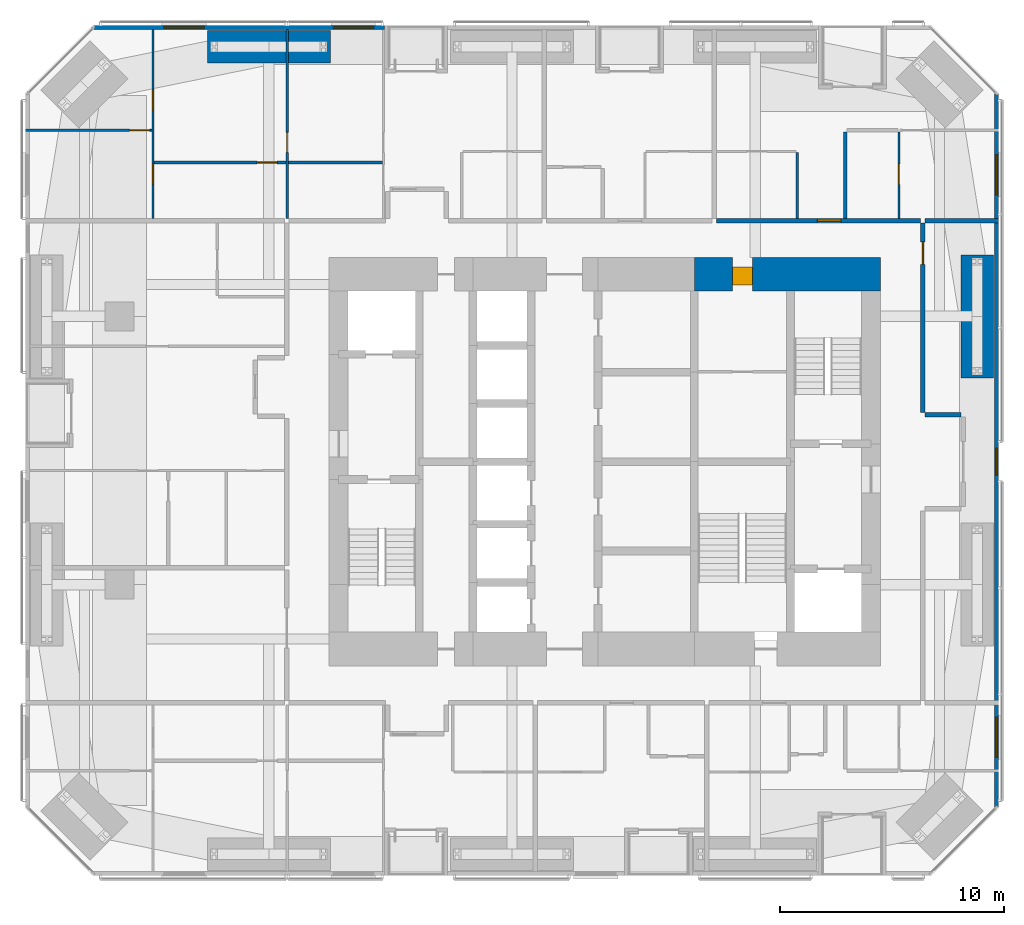
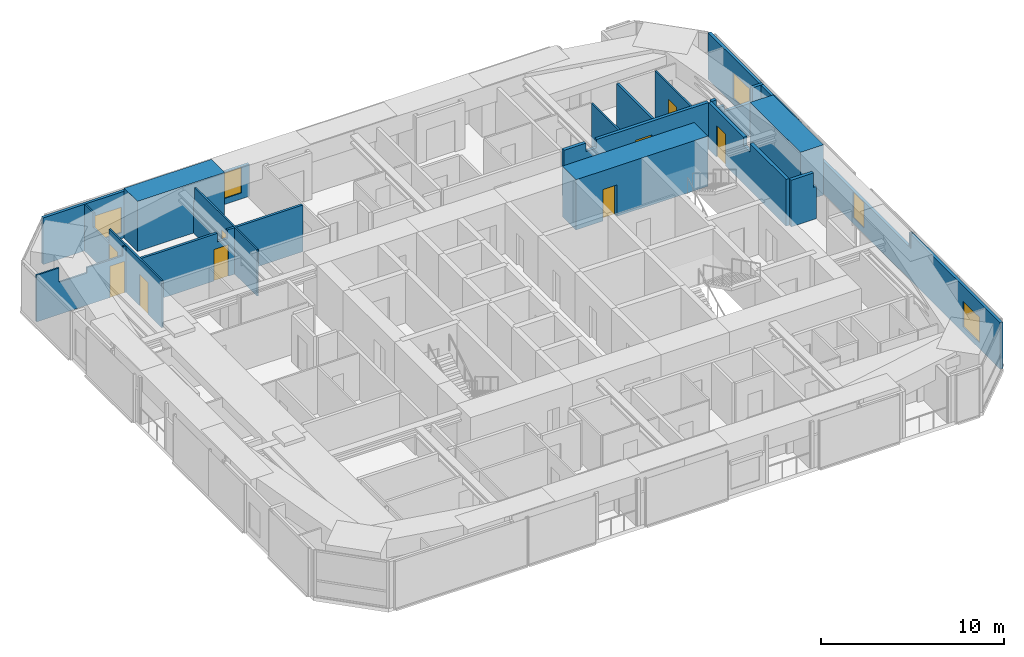
# One storey, part 22 of 25: 17 walls, 9 doors, 5 windows, 14 openings.
"""IFC4 building model written with IfcOpenShell, lengths in metres."""

import ifcopenshell
import ifcopenshell.guid

model = None  # the IFC model being written
_history = None  # IfcOwnerHistory: only IFC2X3 demands one
_inside = {}  # id of a spatial element -> (the spatial element, [elements in it])
_under = {}  # id of a project, library or spatial element -> (it, [spatial elements below it])
_declared = {}  # id of a project -> (the project, [libraries it declares])
_typed = {}  # id of a type object -> (the type object, [elements of that type])
_made_of = {}  # id of a material, layer set ... -> (it, [elements and type objects made of it])


def new_model(schema):
    """Start an empty IFC model of exactly this schema.

    Asked for "IFC4X3", IfcOpenShell would pick the latest addendum, in which some entities
    have other attributes; the version numbers below select the first issue.
    IFC2X3 requires an IfcOwnerHistory on every rooted entity: one is made here for all.
    """
    global model, _history
    if schema == "IFC4X3":
        model = ifcopenshell.file(schema_version=(4, 3, 0, 0))
    else:
        model = ifcopenshell.file(schema=schema)
    _inside.clear()
    _under.clear()
    _declared.clear()
    _typed.clear()
    _made_of.clear()
    _history = None
    if model.schema == "IFC2X3":
        org = make("IfcOrganization", Name="unknown")
        user = make(
            "IfcPersonAndOrganization",
            ThePerson=make("IfcPerson", FamilyName="unknown"),
            TheOrganization=org,
        )
        app = make(
            "IfcApplication",
            ApplicationDeveloper=org,
            Version="unknown",
            ApplicationFullName="unknown",
            ApplicationIdentifier="unknown",
        )
        _history = make(
            "IfcOwnerHistory",
            OwningUser=user,
            OwningApplication=app,
            ChangeAction="ADDED",
            CreationDate=0,
        )
    return model


def make(cls, **values):
    """One entity of the class cls with the attributes given. An attribute that is None is left unset."""
    return model.create_entity(
        cls, **{name: value for name, value in values.items() if value is not None}
    )


def rooted(cls, **values):
    """An entity with a GlobalId (a new one), such as an element, a storey or a relation."""
    return make(cls, GlobalId=ifcopenshell.guid.new(), OwnerHistory=_history, **values)


def si_unit(unit_type, name, prefix=None):
    """IfcSIUnit, for example si_unit("LENGTHUNIT", "METRE", prefix="MILLI")."""
    return make("IfcSIUnit", UnitType=unit_type, Prefix=prefix, Name=name)


def assignment(units):
    """IfcUnitAssignment: the units of a project."""
    return None if units is None else make("IfcUnitAssignment", Units=units)


def point(xyz):
    """IfcCartesianPoint."""
    return None if xyz is None else make("IfcCartesianPoint", Coordinates=xyz)


def direction(xyz):
    """IfcDirection."""
    return None if xyz is None else make("IfcDirection", DirectionRatios=xyz)


def frame(location, z_axis=None, x_axis=None):
    """IfcAxis2Placement3D, a coordinate frame: its origin and axes. An axis left out is left unset."""
    return make(
        "IfcAxis2Placement3D",
        Location=point(location),
        Axis=direction(z_axis),
        RefDirection=direction(x_axis),
    )


def frame_2d(location, x_axis=None):
    """IfcAxis2Placement2D, a coordinate frame in the plane: its origin and x axis."""
    return make(
        "IfcAxis2Placement2D", Location=point(location), RefDirection=direction(x_axis)
    )


def origin():
    """The frame at (0, 0, 0) with its axes left unset."""
    return frame((0.0, 0.0, 0.0))


def place(relative_to, where):
    """IfcLocalPlacement: puts the frame where relative to a parent placement (None: the world)."""
    return make(
        "IfcLocalPlacement", PlacementRelTo=relative_to, RelativePlacement=where
    )


def context(
    kind, dimensions, precision=None, world=None, true_north=None, identifier=None
):
    """IfcGeometricRepresentationContext, for example the 3D "Model" context."""
    return make(
        "IfcGeometricRepresentationContext",
        ContextIdentifier=identifier,
        ContextType=kind,
        CoordinateSpaceDimension=dimensions,
        Precision=precision,
        WorldCoordinateSystem=world,
        TrueNorth=true_north,
    )


def subcontext(parent, identifier, kind, view, scale=None):
    """IfcGeometricRepresentationSubContext, for example "Body" below "Model"."""
    return make(
        "IfcGeometricRepresentationSubContext",
        ContextIdentifier=identifier,
        ContextType=kind,
        ParentContext=parent,
        TargetScale=scale,
        TargetView=view,
    )


def project(units=None, contexts=None):
    """IfcProject with its units and contexts."""
    return rooted(
        "IfcProject",
        Name="project",
        RepresentationContexts=contexts,
        UnitsInContext=assignment(units),
    )


def spatial(cls, under=None, at=None, **own):
    """A site, building, storey or space (cls), placed at a placement, below another one or the project."""
    s = rooted(cls, ObjectPlacement=at, **own)
    if under is not None:
        _under.setdefault(under.id(), (under, []))[1].append(s)
    return s


def polyline(points):
    """IfcPolyline through the points."""
    return make("IfcPolyline", Points=[point(p) for p in points])


def profile(cls, at=None, kind="AREA", **sizes):
    """A parametric profile (cls). Its sizes go by their IFC names, for example OverallWidth=200.0."""
    return make(cls, ProfileType=kind, Position=at, **sizes)


def rectangle(**sizes):
    """IfcRectangleProfileDef."""
    return profile("IfcRectangleProfileDef", **sizes)


def outline(outer, holes=None, kind="AREA"):
    """IfcArbitraryClosedProfileDef: a profile drawn as a closed curve; with holes, ...WithVoids."""
    if holes is None:
        return make("IfcArbitraryClosedProfileDef", ProfileType=kind, OuterCurve=outer)
    return make(
        "IfcArbitraryProfileDefWithVoids",
        ProfileType=kind,
        OuterCurve=outer,
        InnerCurves=holes,
    )


def extrude(swept, where, along, depth):
    """IfcExtrudedAreaSolid: the profile swept, set in the frame where, extruded along a direction by depth."""
    return make(
        "IfcExtrudedAreaSolid",
        SweptArea=swept,
        Position=where,
        ExtrudedDirection=direction(along),
        Depth=depth,
    )


def shape(context_of_items, identifier, shape_type, items):
    """IfcShapeRepresentation: the items that make up one representation, for example the "Body"."""
    return make(
        "IfcShapeRepresentation",
        ContextOfItems=context_of_items,
        RepresentationIdentifier=identifier,
        RepresentationType=shape_type,
        Items=items,
    )


def material(Name=None, Category=None):
    """IfcMaterial."""
    return make("IfcMaterial", Name=Name, Category=Category)


def layer(
    of_material, thickness, ventilated=None, Name=None, Category=None, Priority=None
):
    """IfcMaterialLayer: one layer of a wall or slab, of a material (None: an air gap)."""
    return make(
        "IfcMaterialLayer",
        Material=of_material,
        LayerThickness=thickness,
        IsVentilated=ventilated,
        Name=Name,
        Category=Category,
        Priority=Priority,
    )


def layer_set(layers, Name=None):
    """IfcMaterialLayerSet."""
    return make("IfcMaterialLayerSet", MaterialLayers=layers, LayerSetName=Name)


def constituent(of_material, Name=None, Category=None, fraction=None):
    """IfcMaterialConstituent: one of the materials an element consists of."""
    return make(
        "IfcMaterialConstituent",
        Name=Name,
        Material=of_material,
        Fraction=fraction,
        Category=Category,
    )


def constituent_set(constituents=None, Name=None):
    """IfcMaterialConstituentSet."""
    return make(
        "IfcMaterialConstituentSet", Name=Name, MaterialConstituents=constituents
    )


def made_of(thing, what):
    """Note that an element or type object is made of a material, layer set ...; save() writes the relation."""
    if what is not None:
        _made_of.setdefault(what.id(), (what, []))[1].append(thing)
    return thing


def type_object(cls, material=None, **own):
    """A type object (cls), such as IfcWallType, which elements share."""
    return made_of(rooted(cls, **own), material)


def element(
    cls,
    number,
    at=None,
    inside=None,
    cuts=None,
    type_object=None,
    material=None,
    context=None,
    identifier="Body",
    shape_type=None,
    held_by="IfcProductDefinitionShape",
    body=None,
    shapes=None,
    **own,
):
    """One element of the class cls, such as IfcWall. Its Tag is "e" and its number.

    at: its placement. inside: the storey or other place that contains it. cuts: it is an
    opening in that element (IfcRelVoidsElement). A single representation is given by context,
    identifier, shape_type and body (its items); several are given by shapes. held_by: the class
    of the entity that holds the representations. save() writes the other relations.
    """
    e = rooted(cls, Tag="e%d" % number, ObjectPlacement=at, **own)
    if body is not None:
        shapes = [shape(context, identifier, shape_type, body)]
    if shapes is not None:
        e.Representation = make(held_by, Representations=shapes)
    if inside is not None:
        _inside.setdefault(inside.id(), (inside, []))[1].append(e)
    if cuts is not None:
        rooted(
            "IfcRelVoidsElement", RelatingBuildingElement=cuts, RelatedOpeningElement=e
        )
    if type_object is not None:
        _typed.setdefault(type_object.id(), (type_object, []))[1].append(e)
    return made_of(e, material)


def fill(opening, filler):
    """IfcRelFillsElement: the door or window that sits in an opening."""
    return rooted(
        "IfcRelFillsElement",
        RelatingOpeningElement=opening,
        RelatedBuildingElement=filler,
    )


def aggregate(whole, parts):
    """IfcRelAggregates: a whole, such as a stair, and the parts it consists of."""
    return rooted("IfcRelAggregates", RelatingObject=whole, RelatedObjects=parts)


def save(model, path):
    """Write the relations noted so far, then the file.

    IfcRelAggregates (storeys below a building ...), IfcRelContainedInSpatialStructure (elements
    in a storey), IfcRelDefinesByType, IfcRelAssociatesMaterial and IfcRelDeclares: one each for
    every whole, place, type object, material and project.
    """
    for whole, parts in _under.values():
        aggregate(whole, parts)
    for where, things in _inside.values():
        rooted(
            "IfcRelContainedInSpatialStructure",
            RelatedElements=things,
            RelatingStructure=where,
        )
    for kind, things in _typed.values():
        rooted("IfcRelDefinesByType", RelatedObjects=things, RelatingType=kind)
    for what, things in _made_of.values():
        rooted("IfcRelAssociatesMaterial", RelatedObjects=things, RelatingMaterial=what)
    for by, libraries in _declared.values():
        rooted("IfcRelDeclares", RelatingContext=by, RelatedDefinitions=libraries)
    model.write(path)


model = new_model("IFC4")

# Units and contexts
model_context = context("Model", 3, precision=1e-05, world=origin(), true_north=direction((0.0, 1.0)))
body_context = subcontext(model_context, "Body", "Model", "MODEL_VIEW")
ifc_project = project(units=[si_unit("LENGTHUNIT", "METRE"), si_unit("AREAUNIT", "SQUARE_METRE"), si_unit("VOLUMEUNIT", "CUBIC_METRE"), si_unit("PLANEANGLEUNIT", "RADIAN"), si_unit("MASSUNIT", "GRAM", prefix="KILO")], contexts=[model_context])

# Site, building, storey
site_placement = place(None, origin())
site = spatial("IfcSite", under=ifc_project, at=site_placement, CompositionType="ELEMENT")
building_placement = place(site_placement, origin())
building = spatial("IfcBuilding", under=site, at=building_placement, Name="Jalousie Tower", CompositionType="ELEMENT")
storey_placement = place(building_placement, frame((0.0, 0.0, 98.14990234375)))
storey = spatial("IfcBuildingStorey", under=building, at=storey_placement, Name="L26", CompositionType="ELEMENT", Elevation=98.14990234375)

# Wall, opening, door
ifc_material_1 = material(Name="Concrete block ASTM C90", Category="concrete")
ifc_constituent_1 = constituent(ifc_material_1, Name="Body")
ifc_material_2 = material(Name="Render")
ifc_constituent_2 = constituent(ifc_material_2, Name="Finish")
ifc_constituent_set_1 = constituent_set(constituents=[ifc_constituent_1, ifc_constituent_2])
wall_type_1 = type_object("IfcWallType", Name="BATHROOM WALL 150", PredefinedType="PLUMBINGWALL", material=ifc_constituent_set_1)
wall_1_placement = place(storey_placement, frame((11.75, 31.875, 0.0), z_axis=(0.0, 0.0, 1.0), x_axis=(1.0, 0.0, 0.0)))
wall_1 = element("IfcWall", 1, at=wall_1_placement, inside=storey, type_object=wall_type_1, Name="Bathroom Wall 150 L26", PredefinedType="PLUMBINGWALL", context=body_context, shape_type="SweptSolid", body=[
    extrude(outline(polyline([(0.0, 0.0), (5.89990234375, 0.0), (5.89990234375, 3.110107421875), (5.4375, 3.110107421875), (5.4375, 2.541015625), (4.8125, 2.541015625), (4.8125, 3.110107421875), (0.0, 3.110107421875), (0.0, 0.0)])), frame((0.0, 0.074951171875, 0.0), z_axis=(0.0, -1.0, 0.0), x_axis=(1.0, 0.0, 0.0)), (0.0, 0.0, 1.0), 0.14990234375),
])
opening_1_placement = place(wall_1_placement, frame((4.60009765625, 0.0, 0.0)))
opening_1 = element("IfcOpeningElement", 2, at=opening_1_placement, cuts=wall_1, Name="Opening D3", PredefinedType="OPENING", context=body_context, shape_type="SweptSolid", body=[
    extrude(rectangle(XDim=0.89990234375, YDim=2.10009765625, at=frame_2d((0.449951171875, 1.050048828125))), frame((0.0, 0.0849609375, 0.0), z_axis=(0.0, -1.0, 0.0), x_axis=(1.0, 0.0, 0.0)), (0.0, 0.0, 1.0), 0.169921875),
])
ifc_material_3 = material(Name="Timber door", Category="wood")
door_type_1 = type_object("IfcDoorType", Name="BATHROOM DOOR 900", OperationType="SINGLE_SWING_LEFT", PredefinedType="DOOR", material=ifc_material_3)
door_1_placement = place(opening_1_placement, frame((0.89990234375, 0.0, 0.0), z_axis=(0.0, 0.0, 1.0), x_axis=(-1.0, 0.0, 0.0)))
door_1 = element("IfcDoor", 3, at=door_1_placement, inside=storey, type_object=door_type_1, Name="Apartment 2604 bedroom 2 bathroom door", OperationType="SINGLE_SWING_LEFT", OverallHeight=2.10009765625, OverallWidth=0.89990234375, PredefinedType="DOOR", context=body_context, shape_type="SweptSolid", body=[
    extrude(rectangle(XDim=0.89990234375, YDim=2.10009765625, at=frame_2d((0.449951171875, 1.050048828125))), frame((0.0, 0.02490234375, 0.0), z_axis=(0.0, -1.0, 0.0), x_axis=(1.0, 0.0, 0.0)), (0.0, 0.0, 1.0), 0.050048828125),
])
fill(opening_1, door_1)

# Walls
wall_2_placement = place(storey_placement, frame((17.75, 31.875, 0.0), z_axis=(0.0, 0.0, 1.0), x_axis=(1.0, 0.0, 0.0)))
element("IfcWall", 4, at=wall_2_placement, inside=storey, type_object=wall_type_1, Name="Bathroom Wall 150 L26", PredefinedType="PLUMBINGWALL", context=body_context, shape_type="SweptSolid", body=[
    extrude(rectangle(XDim=4.199951171875, YDim=0.14990234375, at=frame_2d((2.10009765625, 0.0))), origin(), (0.0, 0.0, 1.0), 3.110107421875),
])
wall_3_placement = place(storey_placement, frame((42.64990234375, 33.2490234375, 0.0), z_axis=(0.0, 0.0, 1.0), x_axis=(0.0, -1.0, 0.0)))
element("IfcWall", 5, at=wall_3_placement, inside=storey, type_object=wall_type_1, Name="Bathroom Wall 150 L26", PredefinedType="PLUMBINGWALL", context=body_context, shape_type="SweptSolid", body=[
    extrude(rectangle(XDim=3.8740234375, YDim=0.14990234375, at=frame_2d((1.93701171875, 0.0))), origin(), (0.0, 0.0, 1.0), 3.110107421875),
])

# Wall, opening, door
ifc_material_4 = material(Name="Concrete f'c 120 MPa", Category="concrete")
ifc_layer_1 = layer(ifc_material_4, 1.5)
ifc_layer_set_1 = layer_set([ifc_layer_1], Name="Concrete f'c 120 MPa")
wall_type_2 = type_object("IfcWallType", Name="CORE WALL 1500", PredefinedType="SHEAR", material=ifc_layer_set_1)
wall_4_placement = place(storey_placement, frame((44.22509765625, 26.875, 0.0), z_axis=(0.0, 0.0, 1.0), x_axis=(-1.0, 0.0, 0.0)))
wall_4 = element("IfcWall", 6, at=wall_4_placement, inside=storey, type_object=wall_type_2, Name="Core wall NA L26", PredefinedType="SHEAR", context=body_context, shape_type="SweptSolid", body=[
    extrude(rectangle(XDim=8.3251953125, YDim=1.5, at=frame_2d((4.16259765625, 0.0))), origin(), (0.0, 0.0, 1.0), 3.35009765625),
])
opening_2_placement = place(wall_4_placement, frame((5.72509765625, 0.0, 0.0)))
opening_2 = element("IfcOpeningElement", 7, at=opening_2_placement, cuts=wall_4, Name="Opening D26", PredefinedType="OPENING", context=body_context, shape_type="SweptSolid", body=[
    extrude(rectangle(XDim=0.89990234375, YDim=2.10009765625, at=frame_2d((0.449951171875, 1.050048828125))), frame((0.0, 0.760009765625, 0.0), z_axis=(0.0, -1.0, 0.0), x_axis=(1.0, 0.0, 0.0)), (0.0, 0.0, 1.0), 1.52001953125),
])
ifc_material_5 = material(Name="Steel fire door", Category="steel")
door_type_2 = type_object("IfcDoorType", Name="HOUSEKEEPING STORE DOOR 900", OperationType="SINGLE_SWING_LEFT", PredefinedType="DOOR", material=ifc_material_5)
door_2_placement = place(opening_2_placement, origin())
door_2 = element("IfcDoor", 8, at=door_2_placement, inside=storey, type_object=door_type_2, Name="Housekeeping store door", OperationType="SINGLE_SWING_LEFT", OverallHeight=2.10009765625, OverallWidth=0.89990234375, PredefinedType="DOOR", context=body_context, shape_type="SweptSolid", body=[
    extrude(rectangle(XDim=0.89990234375, YDim=2.10009765625, at=frame_2d((0.449951171875, 1.050048828125))), frame((0.0, 0.47021484375, 0.0), z_axis=(0.0, -1.0, 0.0), x_axis=(1.0, 0.0, 0.0)), (0.0, 0.0, 1.0), 0.800048828125),
])
fill(opening_2, door_2)

ifc_material_6 = material(Name="Concrete block ASTM C90", Category="concrete")
ifc_constituent_3 = constituent(ifc_material_6, Name="Body")
ifc_material_7 = material(Name="Render")
ifc_constituent_4 = constituent(ifc_material_7, Name="Finish")
ifc_constituent_set_2 = constituent_set(constituents=[ifc_constituent_3, ifc_constituent_4])
wall_type_3 = type_object("IfcWallType", Name="CORRIDOR WALL 200", PredefinedType="PARTITIONING", material=ifc_constituent_set_2)
wall_5_placement = place(storey_placement, frame((36.89990234375, 29.27490234375, 0.0), z_axis=(0.0, 0.0, 1.0), x_axis=(1.0, 0.0, 0.0)))
wall_5 = element("IfcWall", 9, at=wall_5_placement, inside=storey, type_object=wall_type_3, Name="Corridor Wall 200 L26", PredefinedType="PARTITIONING", context=body_context, shape_type="SweptSolid", body=[
    extrude(outline(polyline([(0.0, 0.0), (9.125, 0.0), (9.125, 3.110107421875), (2.0625, 3.110107421875), (2.0625, 2.541015625), (1.3876953125, 2.541015625), (1.3876953125, 3.110107421875), (0.0, 3.110107421875), (0.0, 0.0)])), frame((0.0, 0.10009765625, 0.0), z_axis=(0.0, -1.0, 0.0), x_axis=(1.0, 0.0, 0.0)), (0.0, 0.0, 1.0), 0.199951171875),
])
opening_3_placement = place(wall_5_placement, frame((4.5, 0.0, 0.0)))
opening_3 = element("IfcOpeningElement", 10, at=opening_3_placement, cuts=wall_5, Name="Opening D1", PredefinedType="OPENING", context=body_context, shape_type="SweptSolid", body=[
    extrude(rectangle(XDim=1.050048828125, YDim=2.199951171875, at=frame_2d((0.52490234375, 1.10009765625))), frame((0.0, 0.10986328125, 0.0), z_axis=(0.0, -1.0, 0.0), x_axis=(1.0, 0.0, 0.0)), (0.0, 0.0, 1.0), 0.219970703125),
])
ifc_material_8 = material(Name="Timber fire door", Category="wood")
door_type_3 = type_object("IfcDoorType", Name="APARTMENT ENTRANCE DOOR 1050", OperationType="SINGLE_SWING_LEFT", PredefinedType="DOOR", material=ifc_material_8)
door_3_placement = place(opening_3_placement, origin())
door_3 = element("IfcDoor", 11, at=door_3_placement, inside=storey, type_object=door_type_3, Name="Apartment 2606 entrance", OperationType="SINGLE_SWING_RIGHT", OverallHeight=2.199951171875, OverallWidth=1.050048828125, PredefinedType="DOOR", context=body_context, shape_type="SweptSolid", body=[
    extrude(rectangle(XDim=1.050048828125, YDim=2.199951171875, at=frame_2d((0.52490234375, 1.10009765625))), frame((0.0, 0.02490234375, 0.0), z_axis=(0.0, -1.0, 0.0), x_axis=(1.0, 0.0, 0.0)), (0.0, 0.0, 1.0), 0.050048828125),
])
fill(opening_3, door_3)

wall_6_placement = place(storey_placement, frame((46.125, 20.699951171875, 0.0), z_axis=(0.0, 0.0, 1.0), x_axis=(0.0, 1.0, 0.0)))
wall_6 = element("IfcWall", 12, at=wall_6_placement, inside=storey, type_object=wall_type_3, Name="Corridor Wall 200 L26", PredefinedType="PARTITIONING", context=body_context, shape_type="SweptSolid", body=[
    extrude(outline(polyline([(0.0, 0.0), (8.47509765625, 0.0), (8.47509765625, 3.110107421875), (4.63720703125, 3.110107421875), (4.63720703125, 2.541015625), (3.962646484375, 2.541015625), (3.962646484375, 3.110107421875), (0.0, 3.110107421875), (0.0, 0.0)])), frame((0.0, 0.10009765625, 0.0), z_axis=(0.0, -1.0, 0.0), x_axis=(1.0, 0.0, 0.0)), (0.0, 0.0, 1.0), 0.199951171875),
])
opening_4_placement = place(wall_6_placement, frame((6.625, 0.0, 0.0)))
opening_4 = element("IfcOpeningElement", 13, at=opening_4_placement, cuts=wall_6, Name="Opening D21", PredefinedType="OPENING", context=body_context, shape_type="SweptSolid", body=[
    extrude(rectangle(XDim=1.0, YDim=2.10009765625, at=frame_2d((0.5, 1.050048828125))), frame((0.0, 0.10986328125, 0.0), z_axis=(0.0, -1.0, 0.0), x_axis=(1.0, 0.0, 0.0)), (0.0, 0.0, 1.0), 0.219970703125),
])
ifc_material_9 = material(Name="Timber fire door", Category="wood")
door_type_4 = type_object("IfcDoorType", Name="CORRIDOR DOOR 1000", OperationType="SINGLE_SWING_LEFT", PredefinedType="DOOR", material=ifc_material_9)
door_4_placement = place(opening_4_placement, frame((1.0, 0.0, 0.0), z_axis=(0.0, 0.0, 1.0), x_axis=(-1.0, 0.0, 0.0)))
door_4 = element("IfcDoor", 14, at=door_4_placement, inside=storey, type_object=door_type_4, Name="Lounge second door", OperationType="SINGLE_SWING_LEFT", OverallHeight=2.10009765625, OverallWidth=1.0, PredefinedType="DOOR", context=body_context, shape_type="SweptSolid", body=[
    extrude(rectangle(XDim=1.0, YDim=2.10009765625, at=frame_2d((0.5, 1.050048828125))), frame((0.0, 0.02490234375, 0.0), z_axis=(0.0, -1.0, 0.0), x_axis=(1.0, 0.0, 0.0)), (0.0, 0.0, 1.0), 0.050048828125),
])
fill(opening_4, door_4)

# Wall
wall_7_placement = place(storey_placement, frame((46.22509765625, 20.60009765625, 0.0), z_axis=(0.0, 0.0, 1.0), x_axis=(1.0, 0.0, 0.0)))
element("IfcWall", 15, at=wall_7_placement, inside=storey, type_object=wall_type_3, Name="Corridor Wall 200 L26", PredefinedType="PARTITIONING", context=body_context, shape_type="SweptSolid", body=[
    extrude(outline(polyline([(0.0, 0.0), (1.599853515625, 0.0), (1.60009765625, 3.110107421875), (1.60009765625, 2.150146484375), (1.4150390625, 2.150146484375), (1.4150390625, 3.110107421875), (0.0, 3.110107421875), (0.0, 0.0)])), frame((0.0, 0.10009765625, 0.0), z_axis=(0.0, -1.0, 0.0), x_axis=(1.0, 0.0, 0.0)), (0.0, 0.0, 1.0), 0.199951171875),
])

# Wall, openings, windows
ifc_material_10 = material(Name="Concrete f'c 40 MPa", Category="concrete")
ifc_constituent_5 = constituent(ifc_material_10, Name="Body")
ifc_material_11 = material(Name="Render, pastel sea green")
ifc_constituent_6 = constituent(ifc_material_11, Name="Finish")
ifc_constituent_set_3 = constituent_set(constituents=[ifc_constituent_5, ifc_constituent_6])
wall_type_4 = type_object("IfcWallType", Name="EXTERNAL WALL 175 SEA GREEN RENDER", PredefinedType="SOLIDWALL", material=ifc_constituent_set_3)
wall_8_placement = place(storey_placement, frame((49.41259765625, 3.05126953125, 0.0), z_axis=(0.0, 0.0, 1.0), x_axis=(0.0, 1.0, 0.0)))
wall_8 = element("IfcWall", 16, at=wall_8_placement, inside=storey, type_object=wall_type_4, Name="External Wall 175 Sea Green Render L26", PredefinedType="SOLIDWALL", context=body_context, shape_type="SweptSolid", body=[
    extrude(outline(polyline([(0.0, 0.0), (31.8974609375, 0.0), (31.8974609375, 3.110107421875), (22.167236328125, 3.110107421875), (22.167236328125, 2.150146484375), (22.074462890625, 2.150146484375), (22.074462890625, 3.110107421875), (21.94873046875, 3.110107421875), (21.94873046875, 2.150146484375), (9.94873046875, 2.150146484375), (9.94873046875, 3.110107421875), (9.822998046875, 3.110107421875), (9.822998046875, 2.150146484375), (9.72998046875, 2.150146484375), (9.72998046875, 3.110107421875), (0.0, 3.110107421875), (0.0, 0.0)])), frame((0.0, 0.08740234375, 0.0), z_axis=(0.0, -1.0, 0.0), x_axis=(1.0, 0.0, 0.0)), (0.0, 0.0, 1.0), 0.175048828125),
])
opening_5_placement = place(wall_8_placement, frame((2.22412109375, 0.0, 0.39990234375)))
opening_5 = element("IfcOpeningElement", 17, at=opening_5_placement, cuts=wall_8, Name="Opening W-BED170", PredefinedType="OPENING", context=body_context, shape_type="SweptSolid", body=[
    extrude(rectangle(XDim=1.800048828125, YDim=1.699951171875, at=frame_2d((0.89990234375, 0.85009765625))), frame((0.0, 0.097412109375, 0.0), z_axis=(0.0, -1.0, 0.0), x_axis=(1.0, 0.0, 0.0)), (0.0, 0.0, 1.0), 0.195068359375),
])
opening_6_placement = place(wall_8_placement, frame((14.8486328125, 0.0, 0.39990234375)))
opening_6 = element("IfcOpeningElement", 18, at=opening_6_placement, cuts=wall_8, Name="Opening W-COR170", PredefinedType="OPENING", context=body_context, shape_type="SweptSolid", body=[
    extrude(rectangle(XDim=1.199951171875, YDim=1.699951171875, at=frame_2d((0.60009765625, 0.85009765625))), frame((0.0, 0.097412109375, 0.0), z_axis=(0.0, -1.0, 0.0), x_axis=(1.0, 0.0, 0.0)), (0.0, 0.0, 1.0), 0.195068359375),
])
opening_7_placement = place(wall_8_placement, frame((27.373291015625, 0.0, 0.39990234375)))
opening_7 = element("IfcOpeningElement", 19, at=opening_7_placement, cuts=wall_8, Name="Opening W-BED170", PredefinedType="OPENING", context=body_context, shape_type="SweptSolid", body=[
    extrude(rectangle(XDim=1.800048828125, YDim=1.699951171875, at=frame_2d((0.89990234375, 0.85009765625))), frame((0.0, 0.097412109375, 0.0), z_axis=(0.0, -1.0, 0.0), x_axis=(1.0, 0.0, 0.0)), (0.0, 0.0, 1.0), 0.195068359375),
])
ifc_material_12 = material(Name="Aluminium frame, impact-rated glazing", Category="aluminium")
window_type_1 = type_object("IfcWindowType", Name="WINDOW BED 1800x1700", PartitioningType="SINGLE_PANEL", PredefinedType="WINDOW", material=ifc_material_12)
window_1_placement = place(opening_5_placement, origin())
window_1 = element("IfcWindow", 20, at=window_1_placement, inside=storey, type_object=window_type_1, Name="Apartment 2603 bedroom 1 window", OverallHeight=1.699951171875, OverallWidth=1.800048828125, PartitioningType="SINGLE_PANEL", PredefinedType="WINDOW", context=body_context, shape_type="SweptSolid", body=[
    extrude(rectangle(XDim=1.800048828125, YDim=1.699951171875, at=frame_2d((0.89990234375, 0.85009765625))), frame((0.0, 0.030029296875, 0.0), z_axis=(0.0, -1.0, 0.0), x_axis=(1.0, 0.0, 0.0)), (0.0, 0.0, 1.0), 0.06005859375),
])
fill(opening_5, window_1)
window_2_placement = place(opening_7_placement, origin())
window_2 = element("IfcWindow", 21, at=window_2_placement, inside=storey, type_object=window_type_1, Name="Apartment 2606 bedroom 1 window", OverallHeight=1.699951171875, OverallWidth=1.800048828125, PartitioningType="SINGLE_PANEL", PredefinedType="WINDOW", context=body_context, shape_type="SweptSolid", body=[
    extrude(rectangle(XDim=1.800048828125, YDim=1.699951171875, at=frame_2d((0.89990234375, 0.85009765625))), frame((0.0, 0.030029296875, 0.0), z_axis=(0.0, -1.0, 0.0), x_axis=(1.0, 0.0, 0.0)), (0.0, 0.0, 1.0), 0.06005859375),
])
fill(opening_7, window_2)
ifc_material_13 = material(Name="Aluminium frame, impact-rated glazing", Category="aluminium")
window_type_2 = type_object("IfcWindowType", Name="WINDOW COR 1200x1700", PartitioningType="SINGLE_PANEL", PredefinedType="WINDOW", material=ifc_material_13)
window_3_placement = place(opening_6_placement, origin())
window_3 = element("IfcWindow", 22, at=window_3_placement, inside=storey, type_object=window_type_2, Name="Residents' lounge window", OverallHeight=1.699951171875, OverallWidth=1.199951171875, PartitioningType="SINGLE_PANEL", PredefinedType="WINDOW", context=body_context, shape_type="SweptSolid", body=[
    extrude(rectangle(XDim=1.199951171875, YDim=1.699951171875, at=frame_2d((0.60009765625, 0.85009765625))), frame((0.0, 0.030029296875, 0.0), z_axis=(0.0, -1.0, 0.0), x_axis=(1.0, 0.0, 0.0)), (0.0, 0.0, 1.0), 0.06005859375),
])
fill(opening_6, window_3)

wall_9_placement = place(storey_placement, frame((22.050048828125, 37.91259765625, 0.0), z_axis=(0.0, 0.0, 1.0), x_axis=(-1.0, 0.0, 0.0)))
wall_9 = element("IfcWall", 23, at=wall_9_placement, inside=storey, type_object=wall_type_4, Name="External Wall 175 Sea Green Render L26", PredefinedType="SOLIDWALL", context=body_context, shape_type="SweptSolid", body=[
    extrude(outline(polyline([(0.0, 0.0), (12.998779296875, 0.0), (12.998779296875, 3.110107421875), (5.37841796875, 3.110107421875), (5.37841796875, 2.150146484375), (5.3330078125, 2.150146484375), (5.3330078125, 3.110107421875), (5.175048828125, 3.110107421875), (5.175048828125, 2.150146484375), (0.0, 2.150146484375), (0.0, 0.0)])), frame((0.0, 0.08740234375, 0.0), z_axis=(0.0, -1.0, 0.0), x_axis=(1.0, 0.0, 0.0)), (0.0, 0.0, 1.0), 0.175048828125),
])
opening_8_placement = place(wall_9_placement, frame((0.492431640625, 0.0, 0.39990234375)))
opening_8 = element("IfcOpeningElement", 24, at=opening_8_placement, cuts=wall_9, Name="Opening W-BED170", PredefinedType="OPENING", context=body_context, shape_type="SweptSolid", body=[
    extrude(rectangle(XDim=1.800048828125, YDim=1.699951171875, at=frame_2d((0.89990234375, 0.85009765625))), frame((0.0, 0.097412109375, 0.0), z_axis=(0.0, -1.0, 0.0), x_axis=(1.0, 0.0, 0.0)), (0.0, 0.0, 1.0), 0.195068359375),
])
opening_9_placement = place(wall_9_placement, frame((8.06494140625, 0.0, 0.39990234375)))
opening_9 = element("IfcOpeningElement", 25, at=opening_9_placement, cuts=wall_9, Name="Opening W-BED170", PredefinedType="OPENING", context=body_context, shape_type="SweptSolid", body=[
    extrude(rectangle(XDim=1.800048828125, YDim=1.699951171875, at=frame_2d((0.89990234375, 0.85009765625))), frame((0.0, 0.097412109375, 0.0), z_axis=(0.0, -1.0, 0.0), x_axis=(1.0, 0.0, 0.0)), (0.0, 0.0, 1.0), 0.195068359375),
])
window_4_placement = place(opening_8_placement, origin())
window_4 = element("IfcWindow", 26, at=window_4_placement, inside=storey, type_object=window_type_1, Name="Apartment 2604 bedroom 3 window", OverallHeight=1.699951171875, OverallWidth=1.800048828125, PartitioningType="SINGLE_PANEL", PredefinedType="WINDOW", context=body_context, shape_type="SweptSolid", body=[
    extrude(rectangle(XDim=1.800048828125, YDim=1.699951171875, at=frame_2d((0.89990234375, 0.85009765625))), frame((0.0, 0.030029296875, 0.0), z_axis=(0.0, -1.0, 0.0), x_axis=(1.0, 0.0, 0.0)), (0.0, 0.0, 1.0), 0.06005859375),
])
fill(opening_8, window_4)
window_5_placement = place(opening_9_placement, origin())
window_5 = element("IfcWindow", 27, at=window_5_placement, inside=storey, type_object=window_type_1, Name="Apartment 2604 bedroom 2 window", OverallHeight=1.699951171875, OverallWidth=1.800048828125, PartitioningType="SINGLE_PANEL", PredefinedType="WINDOW", context=body_context, shape_type="SweptSolid", body=[
    extrude(rectangle(XDim=1.800048828125, YDim=1.699951171875, at=frame_2d((0.89990234375, 0.85009765625))), frame((0.0, 0.030029296875, 0.0), z_axis=(0.0, -1.0, 0.0), x_axis=(1.0, 0.0, 0.0)), (0.0, 0.0, 1.0), 0.06005859375),
])
fill(opening_9, window_5)

# Wall, openings, doors
ifc_material_14 = material(Name="Gypsum board", Category="gypsum")
ifc_constituent_7 = constituent(ifc_material_14, Name="Body")
ifc_material_15 = material(Name="Light-gauge steel studs ASTM A653 SS Grade 33", Category="steel")
ifc_constituent_8 = constituent(ifc_material_15, Name="Framing")
ifc_constituent_set_4 = constituent_set(constituents=[ifc_constituent_7, ifc_constituent_8])
wall_type_5 = type_object("IfcWallType", Name="PARTITION 100", PredefinedType="PARTITIONING", material=ifc_constituent_set_4)
wall_10_placement = place(storey_placement, frame((11.699951171875, 37.824951171875, 0.0), z_axis=(0.0, 0.0, 1.0), x_axis=(0.0, -1.0, 0.0)))
wall_10 = element("IfcWall", 28, at=wall_10_placement, inside=storey, type_object=wall_type_5, Name="Partition 100 L26", PredefinedType="PARTITIONING", context=body_context, shape_type="SweptSolid", body=[
    extrude(outline(polyline([(0.0, 0.0), (8.449951171875, 0.0), (8.449951171875, 3.110107421875), (2.708251953125, 3.110107421875), (2.708251953125, 2.150146484375), (0.952880859375, 2.150146484375), (0.952880859375, 3.110107421875), (0.0, 3.110107421875), (0.0, 0.0)])), frame((0.0, 0.050048828125, 0.0), z_axis=(0.0, -1.0, 0.0), x_axis=(1.0, 0.0, 0.0)), (0.0, 0.0, 1.0), 0.10009765625),
])
opening_10_placement = place(wall_10_placement, frame((2.700927734375, 0.0, 0.0)))
opening_10 = element("IfcOpeningElement", 29, at=opening_10_placement, cuts=wall_10, Name="Opening D2", PredefinedType="OPENING", context=body_context, shape_type="SweptSolid", body=[
    extrude(rectangle(XDim=0.89990234375, YDim=2.10009765625, at=frame_2d((0.449951171875, 1.050048828125))), frame((0.0, 0.06005859375, 0.0), z_axis=(0.0, -1.0, 0.0), x_axis=(1.0, 0.0, 0.0)), (0.0, 0.0, 1.0), 0.1201171875),
])
opening_11_placement = place(wall_10_placement, frame((6.025390625, 0.0, 0.0)))
opening_11 = element("IfcOpeningElement", 30, at=opening_11_placement, cuts=wall_10, Name="Opening D3", PredefinedType="OPENING", context=body_context, shape_type="SweptSolid", body=[
    extrude(rectangle(XDim=0.89990234375, YDim=2.10009765625, at=frame_2d((0.449951171875, 1.050048828125))), frame((0.0, 0.06005859375, 0.0), z_axis=(0.0, -1.0, 0.0), x_axis=(1.0, 0.0, 0.0)), (0.0, 0.0, 1.0), 0.1201171875),
])
door_5_placement = place(opening_11_placement, origin())
door_5 = element("IfcDoor", 31, at=door_5_placement, inside=storey, type_object=door_type_1, Name="Apartment 2604 bedroom 1 bathroom door", OperationType="SINGLE_SWING_LEFT", OverallHeight=2.10009765625, OverallWidth=0.89990234375, PredefinedType="DOOR", context=body_context, shape_type="SweptSolid", body=[
    extrude(rectangle(XDim=0.89990234375, YDim=2.10009765625, at=frame_2d((0.449951171875, 1.050048828125))), frame((0.0, 0.02490234375, 0.0), z_axis=(0.0, -1.0, 0.0), x_axis=(1.0, 0.0, 0.0)), (0.0, 0.0, 1.0), 0.050048828125),
])
fill(opening_11, door_5)
ifc_material_16 = material(Name="Timber door", Category="wood")
door_type_5 = type_object("IfcDoorType", Name="BEDROOM DOOR 900", OperationType="SINGLE_SWING_LEFT", PredefinedType="DOOR", material=ifc_material_16)
door_6_placement = place(opening_10_placement, origin())
door_6 = element("IfcDoor", 32, at=door_6_placement, inside=storey, type_object=door_type_5, Name="Apartment 2604 bedroom 1 door", OperationType="SINGLE_SWING_RIGHT", OverallHeight=2.10009765625, OverallWidth=0.89990234375, PredefinedType="DOOR", context=body_context, shape_type="SweptSolid", body=[
    extrude(rectangle(XDim=0.89990234375, YDim=2.10009765625, at=frame_2d((0.449951171875, 1.050048828125))), frame((0.0, 0.02490234375, 0.0), z_axis=(0.0, -1.0, 0.0), x_axis=(1.0, 0.0, 0.0)), (0.0, 0.0, 1.0), 0.050048828125),
])
fill(opening_10, door_6)

# Wall, opening, door
wall_11_placement = place(storey_placement, frame((17.699951171875, 37.824951171875, 0.0), z_axis=(0.0, 0.0, 1.0), x_axis=(0.0, -1.0, 0.0)))
wall_11 = element("IfcWall", 33, at=wall_11_placement, inside=storey, type_object=wall_type_5, Name="Partition 100 L26", PredefinedType="PARTITIONING", context=body_context, shape_type="SweptSolid", body=[
    extrude(outline(polyline([(1.635009765625, 2.150146484375), (0.0, 2.150146484375), (0.0, 0.0), (8.449951171875, 0.0), (8.449951171875, 3.110107421875), (1.635009765625, 3.110107421875), (1.635009765625, 2.150146484375)]), holes=[polyline([(1.021240234375, 0.1162109375), (0.52880859375, 0.1162109375), (0.52880859375, 0.906005859375), (1.021240234375, 0.906005859375), (1.021240234375, 0.1162109375)]), polyline([(1.021240234375, 1.244140625), (0.52880859375, 1.244140625), (0.52880859375, 2.0341796875), (1.021240234375, 2.0341796875), (1.021240234375, 1.244140625)])]), frame((0.0, 0.050048828125, 0.0), z_axis=(0.0, -1.0, 0.0), x_axis=(1.0, 0.0, 0.0)), (0.0, 0.0, 1.0), 0.10009765625),
])
opening_12_placement = place(wall_11_placement, frame((4.60009765625, 0.0, 0.0)))
opening_12 = element("IfcOpeningElement", 34, at=opening_12_placement, cuts=wall_11, Name="Opening D2", PredefinedType="OPENING", context=body_context, shape_type="SweptSolid", body=[
    extrude(rectangle(XDim=0.89990234375, YDim=2.10009765625, at=frame_2d((0.449951171875, 1.050048828125))), frame((0.0, 0.06005859375, 0.0), z_axis=(0.0, -1.0, 0.0), x_axis=(1.0, 0.0, 0.0)), (0.0, 0.0, 1.0), 0.1201171875),
])
door_7_placement = place(opening_12_placement, frame((0.89990234375, 0.0, 0.0), z_axis=(0.0, 0.0, 1.0), x_axis=(-1.0, 0.0, 0.0)))
door_7 = element("IfcDoor", 35, at=door_7_placement, inside=storey, type_object=door_type_5, Name="Apartment 2604 bedroom 2 door", OperationType="SINGLE_SWING_LEFT", OverallHeight=2.10009765625, OverallWidth=0.89990234375, PredefinedType="DOOR", context=body_context, shape_type="SweptSolid", body=[
    extrude(rectangle(XDim=0.89990234375, YDim=2.10009765625, at=frame_2d((0.449951171875, 1.050048828125))), frame((0.0, 0.02490234375, 0.0), z_axis=(0.0, -1.0, 0.0), x_axis=(1.0, 0.0, 0.0)), (0.0, 0.0, 1.0), 0.050048828125),
])
fill(opening_12, door_7)

wall_12_placement = place(storey_placement, frame((6.0, 33.32421875, 0.0), z_axis=(0.0, 0.0, 1.0), x_axis=(1.0, 0.0, 0.0)))
wall_12 = element("IfcWall", 36, at=wall_12_placement, inside=storey, type_object=wall_type_5, Name="Partition 100 L26", PredefinedType="PARTITIONING", context=body_context, shape_type="SweptSolid", body=[
    extrude(outline(polyline([(0.0, 0.0), (5.64990234375, 0.0), (5.64990234375, 3.110107421875), (5.4599609375, 3.110107421875), (5.4599609375, 2.510009765625), (3.171142578125, 2.510009765625), (3.171142578125, 2.150146484375), (1.4287109375, 2.150146484375), (1.4287109375, 3.110107421875), (0.0, 3.110107421875), (0.0, 0.0)])), frame((0.0, 0.050048828125, 0.0), z_axis=(0.0, -1.0, 0.0), x_axis=(1.0, 0.0, 0.0)), (0.0, 0.0, 1.0), 0.10009765625),
])
opening_13_placement = place(wall_12_placement, frame((4.64990234375, 0.0, 0.0)))
opening_13 = element("IfcOpeningElement", 37, at=opening_13_placement, cuts=wall_12, Name="Opening D7", PredefinedType="OPENING", context=body_context, shape_type="SweptSolid", body=[
    extrude(rectangle(XDim=0.89990234375, YDim=2.10009765625, at=frame_2d((0.449951171875, 1.050048828125))), frame((0.0, 0.06005859375, 0.0), z_axis=(0.0, -1.0, 0.0), x_axis=(1.0, 0.0, 0.0)), (0.0, 0.0, 1.0), 0.1201171875),
])
ifc_material_17 = material(Name="Timber door", Category="wood")
door_type_6 = type_object("IfcDoorType", Name="INTERNAL DOOR 900", OperationType="SINGLE_SWING_LEFT", PredefinedType="DOOR", material=ifc_material_17)
door_8_placement = place(opening_13_placement, frame((0.89990234375, 0.0, 0.0), z_axis=(0.0, 0.0, 1.0), x_axis=(-1.0, 0.0, 0.0)))
door_8 = element("IfcDoor", 38, at=door_8_placement, inside=storey, type_object=door_type_6, Name="Apartment 2604 bedroom 1 dressing hall door", OperationType="SINGLE_SWING_LEFT", OverallHeight=2.10009765625, OverallWidth=0.89990234375, PredefinedType="DOOR", context=body_context, shape_type="SweptSolid", body=[
    extrude(rectangle(XDim=0.89990234375, YDim=2.10009765625, at=frame_2d((0.449951171875, 1.050048828125))), frame((0.0, 0.02490234375, 0.0), z_axis=(0.0, -1.0, 0.0), x_axis=(1.0, 0.0, 0.0)), (0.0, 0.0, 1.0), 0.050048828125),
])
fill(opening_13, door_8)

wall_13_placement = place(storey_placement, frame((45.050048828125, 33.2490234375, 0.0), z_axis=(0.0, 0.0, 1.0), x_axis=(0.0, -1.0, 0.0)))
wall_13 = element("IfcWall", 39, at=wall_13_placement, inside=storey, type_object=wall_type_5, Name="Partition 100 L26", PredefinedType="PARTITIONING", context=body_context, shape_type="SweptSolid", body=[
    extrude(rectangle(XDim=3.8740234375, YDim=0.10009765625, at=frame_2d((1.93701171875, 0.0))), origin(), (0.0, 0.0, 1.0), 3.110107421875),
])
opening_14_placement = place(wall_13_placement, frame((1.44970703125, 0.0, 0.0)))
opening_14 = element("IfcOpeningElement", 40, at=opening_14_placement, cuts=wall_13, Name="Opening D3", PredefinedType="OPENING", context=body_context, shape_type="SweptSolid", body=[
    extrude(rectangle(XDim=0.89990234375, YDim=2.10009765625, at=frame_2d((0.449951171875, 1.050048828125))), frame((0.0, 0.06005859375, 0.0), z_axis=(0.0, -1.0, 0.0), x_axis=(1.0, 0.0, 0.0)), (0.0, 0.0, 1.0), 0.1201171875),
])
door_9_placement = place(opening_14_placement, frame((0.89990234375, 0.0, 0.0), z_axis=(0.0, 0.0, 1.0), x_axis=(-1.0, 0.0, 0.0)))
door_9 = element("IfcDoor", 41, at=door_9_placement, inside=storey, type_object=door_type_1, Name="Apartment 2606 bedroom 1 bathroom door", OperationType="SINGLE_SWING_RIGHT", OverallHeight=2.10009765625, OverallWidth=0.89990234375, PredefinedType="DOOR", context=body_context, shape_type="SweptSolid", body=[
    extrude(rectangle(XDim=0.89990234375, YDim=2.10009765625, at=frame_2d((0.449951171875, 1.050048828125))), frame((0.0, 0.02490234375, 0.0), z_axis=(0.0, -1.0, 0.0), x_axis=(1.0, 0.0, 0.0)), (0.0, 0.0, 1.0), 0.050048828125),
])
fill(opening_14, door_9)

# Walls
wall_14_placement = place(storey_placement, frame((40.5, 32.324951171875, 0.0), z_axis=(0.0, 0.0, 1.0), x_axis=(0.0, -1.0, 0.0)))
element("IfcWall", 42, at=wall_14_placement, inside=storey, type_object=wall_type_5, Name="Partition 100 L26", PredefinedType="PARTITIONING", context=body_context, shape_type="SweptSolid", body=[
    extrude(rectangle(XDim=2.949951171875, YDim=0.10009765625, at=frame_2d((1.47509765625, 0.0))), origin(), (0.0, 0.0, 1.0), 3.110107421875),
])
ifc_material_18 = material(Name="Concrete block ASTM C90", Category="concrete")
ifc_constituent_9 = constituent(ifc_material_18, Name="Body")
ifc_material_19 = material(Name="Render")
ifc_constituent_10 = constituent(ifc_material_19, Name="Finish")
ifc_constituent_set_5 = constituent_set(constituents=[ifc_constituent_9, ifc_constituent_10])
wall_type_6 = type_object("IfcWallType", Name="PARTY WALL 200", PredefinedType="PARTITIONING", material=ifc_constituent_set_5)
wall_15_placement = place(storey_placement, frame((46.22509765625, 29.27490234375, 0.0), z_axis=(0.0, 0.0, 1.0), x_axis=(1.0, 0.0, 0.0)))
element("IfcWall", 43, at=wall_15_placement, inside=storey, type_object=wall_type_6, Name="Party Wall 200 L26", PredefinedType="PARTITIONING", context=body_context, shape_type="SweptSolid", body=[
    extrude(outline(polyline([(0.0, 0.0), (3.27490234375, 0.0), (3.27490234375, 3.110107421875), (2.5537109375, 3.110107421875), (2.5537109375, 2.150146484375), (0.80517578125, 2.150146484375), (0.80517578125, 2.541015625), (0.30615234375, 2.541015625), (0.30615234375, 3.110107421875), (0.0, 3.110107421875), (0.0, 0.0)])), frame((0.0, 0.10009765625, 0.0), z_axis=(0.0, -1.0, 0.0), x_axis=(1.0, 0.0, 0.0)), (0.0, 0.0, 1.0), 0.199951171875),
])
ifc_material_20 = material(Name="Concrete f'c 120 MPa", Category="concrete")
ifc_layer_2 = layer(ifc_material_20, 1.449951171875)
ifc_layer_set_2 = layer_set([ifc_layer_2], Name="Concrete f'c 120 MPa")
wall_type_7 = type_object("IfcWallType", Name="RC WALL PIER 1450", PredefinedType="SHEAR", material=ifc_layer_set_2)
for number, where, z_axis, x_axis, name in (
    (44, (48.550048828125, 22.25, 0.0), (0.0, 0.0, 1.0), (0.0, 1.0, 0.0), "Wall pier 07 L26"),
    (45, (14.125, 37.050048828125, 0.0), (0.0, 0.0, 1.0), (1.0, 0.0, 0.0), "Wall pier 11 L26"),
):
    element("IfcWall", number, at=place(storey_placement, frame(where, z_axis=z_axis, x_axis=x_axis)), inside=storey, type_object=wall_type_7, Name=name, PredefinedType="SHEAR", context=body_context, shape_type="SweptSolid", body=[
        extrude(rectangle(XDim=5.5, YDim=1.449951171875, at=frame_2d((2.75, 0.0))), origin(), (0.0, 0.0, 1.0), 3.35009765625),
    ])

save(model, "model.ifc")
